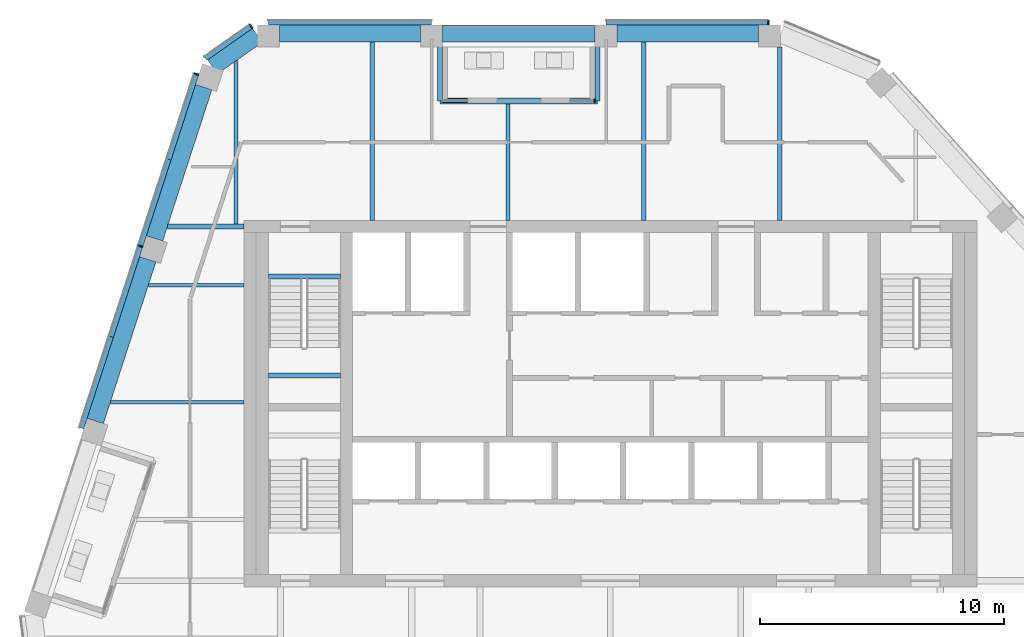
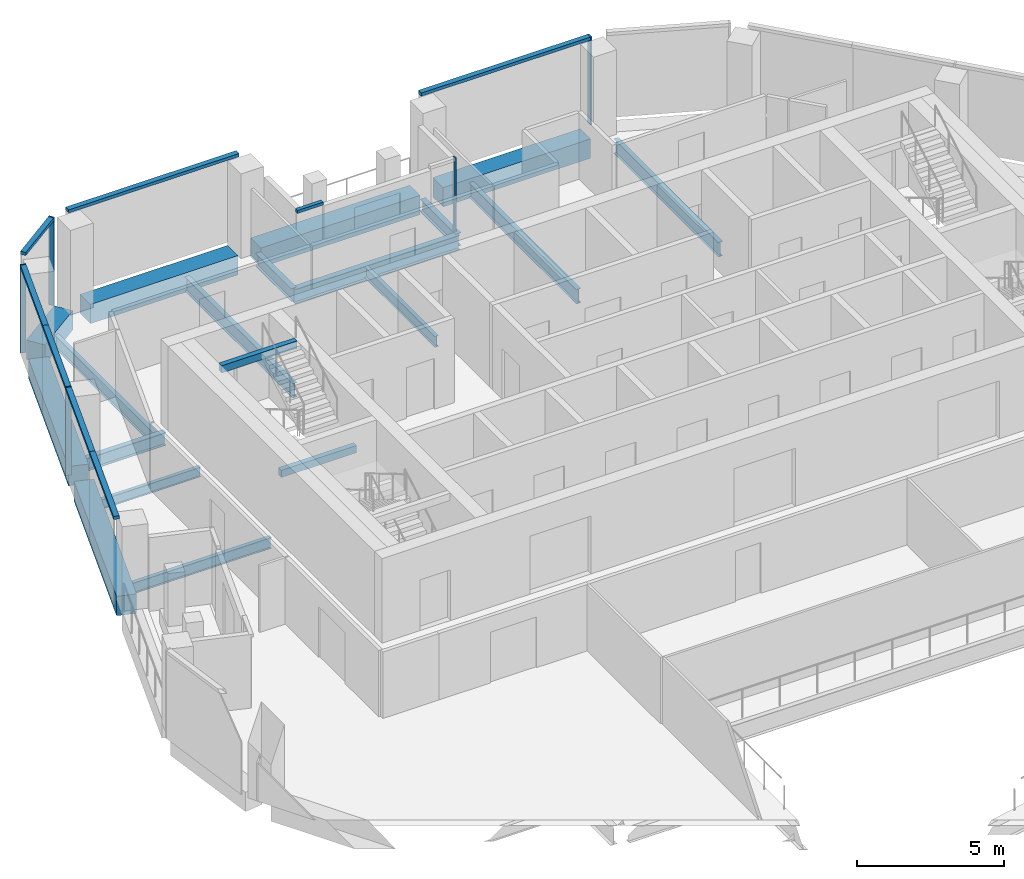
# One storey, part 7 of 20: 19 beams, 13 members, 4 elements without a shape of their own.
"""IFC4 building model written with IfcOpenShell, lengths in metres."""

import ifcopenshell
import ifcopenshell.guid

model = None  # the IFC model being written
_history = None  # IfcOwnerHistory: only IFC2X3 demands one
_inside = {}  # id of a spatial element -> (the spatial element, [elements in it])
_under = {}  # id of a project, library or spatial element -> (it, [spatial elements below it])
_declared = {}  # id of a project -> (the project, [libraries it declares])
_typed = {}  # id of a type object -> (the type object, [elements of that type])
_made_of = {}  # id of a material, layer set ... -> (it, [elements and type objects made of it])


def new_model(schema):
    """Start an empty IFC model of exactly this schema.

    Asked for "IFC4X3", IfcOpenShell would pick the latest addendum, in which some entities
    have other attributes; the version numbers below select the first issue.
    IFC2X3 requires an IfcOwnerHistory on every rooted entity: one is made here for all.
    """
    global model, _history
    if schema == "IFC4X3":
        model = ifcopenshell.file(schema_version=(4, 3, 0, 0))
    else:
        model = ifcopenshell.file(schema=schema)
    _inside.clear()
    _under.clear()
    _declared.clear()
    _typed.clear()
    _made_of.clear()
    _history = None
    if model.schema == "IFC2X3":
        org = make("IfcOrganization", Name="unknown")
        user = make(
            "IfcPersonAndOrganization",
            ThePerson=make("IfcPerson", FamilyName="unknown"),
            TheOrganization=org,
        )
        app = make(
            "IfcApplication",
            ApplicationDeveloper=org,
            Version="unknown",
            ApplicationFullName="unknown",
            ApplicationIdentifier="unknown",
        )
        _history = make(
            "IfcOwnerHistory",
            OwningUser=user,
            OwningApplication=app,
            ChangeAction="ADDED",
            CreationDate=0,
        )
    return model


def make(cls, **values):
    """One entity of the class cls with the attributes given. An attribute that is None is left unset."""
    return model.create_entity(
        cls, **{name: value for name, value in values.items() if value is not None}
    )


def rooted(cls, **values):
    """An entity with a GlobalId (a new one), such as an element, a storey or a relation."""
    return make(cls, GlobalId=ifcopenshell.guid.new(), OwnerHistory=_history, **values)


def si_unit(unit_type, name, prefix=None):
    """IfcSIUnit, for example si_unit("LENGTHUNIT", "METRE", prefix="MILLI")."""
    return make("IfcSIUnit", UnitType=unit_type, Prefix=prefix, Name=name)


def assignment(units):
    """IfcUnitAssignment: the units of a project."""
    return None if units is None else make("IfcUnitAssignment", Units=units)


def point(xyz):
    """IfcCartesianPoint."""
    return None if xyz is None else make("IfcCartesianPoint", Coordinates=xyz)


def direction(xyz):
    """IfcDirection."""
    return None if xyz is None else make("IfcDirection", DirectionRatios=xyz)


def frame(location, z_axis=None, x_axis=None):
    """IfcAxis2Placement3D, a coordinate frame: its origin and axes. An axis left out is left unset."""
    return make(
        "IfcAxis2Placement3D",
        Location=point(location),
        Axis=direction(z_axis),
        RefDirection=direction(x_axis),
    )


def frame_2d(location, x_axis=None):
    """IfcAxis2Placement2D, a coordinate frame in the plane: its origin and x axis."""
    return make(
        "IfcAxis2Placement2D", Location=point(location), RefDirection=direction(x_axis)
    )


def origin():
    """The frame at (0, 0, 0) with its axes left unset."""
    return frame((0.0, 0.0, 0.0))


def origin_2d():
    """The frame at (0, 0) in the plane with its x axis left unset."""
    return frame_2d((0.0, 0.0))


def place(relative_to, where):
    """IfcLocalPlacement: puts the frame where relative to a parent placement (None: the world)."""
    return make(
        "IfcLocalPlacement", PlacementRelTo=relative_to, RelativePlacement=where
    )


def context(
    kind, dimensions, precision=None, world=None, true_north=None, identifier=None
):
    """IfcGeometricRepresentationContext, for example the 3D "Model" context."""
    return make(
        "IfcGeometricRepresentationContext",
        ContextIdentifier=identifier,
        ContextType=kind,
        CoordinateSpaceDimension=dimensions,
        Precision=precision,
        WorldCoordinateSystem=world,
        TrueNorth=true_north,
    )


def subcontext(parent, identifier, kind, view, scale=None):
    """IfcGeometricRepresentationSubContext, for example "Body" below "Model"."""
    return make(
        "IfcGeometricRepresentationSubContext",
        ContextIdentifier=identifier,
        ContextType=kind,
        ParentContext=parent,
        TargetScale=scale,
        TargetView=view,
    )


def project(units=None, contexts=None):
    """IfcProject with its units and contexts."""
    return rooted(
        "IfcProject",
        Name="project",
        RepresentationContexts=contexts,
        UnitsInContext=assignment(units),
    )


def spatial(cls, under=None, at=None, **own):
    """A site, building, storey or space (cls), placed at a placement, below another one or the project."""
    s = rooted(cls, ObjectPlacement=at, **own)
    if under is not None:
        _under.setdefault(under.id(), (under, []))[1].append(s)
    return s


def profile(cls, at=None, kind="AREA", **sizes):
    """A parametric profile (cls). Its sizes go by their IFC names, for example OverallWidth=200.0."""
    return make(cls, ProfileType=kind, Position=at, **sizes)


def rectangle(**sizes):
    """IfcRectangleProfileDef."""
    return profile("IfcRectangleProfileDef", **sizes)


def i_section(**sizes):
    """IfcIShapeProfileDef."""
    return profile("IfcIShapeProfileDef", **sizes)


def extrude(swept, where, along, depth):
    """IfcExtrudedAreaSolid: the profile swept, set in the frame where, extruded along a direction by depth."""
    return make(
        "IfcExtrudedAreaSolid",
        SweptArea=swept,
        Position=where,
        ExtrudedDirection=direction(along),
        Depth=depth,
    )


def shape(context_of_items, identifier, shape_type, items):
    """IfcShapeRepresentation: the items that make up one representation, for example the "Body"."""
    return make(
        "IfcShapeRepresentation",
        ContextOfItems=context_of_items,
        RepresentationIdentifier=identifier,
        RepresentationType=shape_type,
        Items=items,
    )


def material(Name=None, Category=None):
    """IfcMaterial."""
    return make("IfcMaterial", Name=Name, Category=Category)


def layer(
    of_material, thickness, ventilated=None, Name=None, Category=None, Priority=None
):
    """IfcMaterialLayer: one layer of a wall or slab, of a material (None: an air gap)."""
    return make(
        "IfcMaterialLayer",
        Material=of_material,
        LayerThickness=thickness,
        IsVentilated=ventilated,
        Name=Name,
        Category=Category,
        Priority=Priority,
    )


def layer_set(layers, Name=None):
    """IfcMaterialLayerSet."""
    return make("IfcMaterialLayerSet", MaterialLayers=layers, LayerSetName=Name)


def material_profile(
    of_material, cross_section, Name=None, Category=None, Priority=None
):
    """IfcMaterialProfile: a cross section and its material."""
    return make(
        "IfcMaterialProfile",
        Name=Name,
        Material=of_material,
        Profile=cross_section,
        Priority=Priority,
        Category=Category,
    )


def profile_set(profiles, Name=None, composite=None):
    """IfcMaterialProfileSet."""
    return make(
        "IfcMaterialProfileSet",
        Name=Name,
        MaterialProfiles=profiles,
        CompositeProfile=composite,
    )


def made_of(thing, what):
    """Note that an element or type object is made of a material, layer set ...; save() writes the relation."""
    if what is not None:
        _made_of.setdefault(what.id(), (what, []))[1].append(thing)
    return thing


def type_object(cls, material=None, **own):
    """A type object (cls), such as IfcWallType, which elements share."""
    return made_of(rooted(cls, **own), material)


def element(
    cls,
    number,
    at=None,
    inside=None,
    cuts=None,
    type_object=None,
    material=None,
    context=None,
    identifier="Body",
    shape_type=None,
    held_by="IfcProductDefinitionShape",
    body=None,
    shapes=None,
    **own,
):
    """One element of the class cls, such as IfcWall. Its Tag is "e" and its number.

    at: its placement. inside: the storey or other place that contains it. cuts: it is an
    opening in that element (IfcRelVoidsElement). A single representation is given by context,
    identifier, shape_type and body (its items); several are given by shapes. held_by: the class
    of the entity that holds the representations. save() writes the other relations.
    """
    e = rooted(cls, Tag="e%d" % number, ObjectPlacement=at, **own)
    if body is not None:
        shapes = [shape(context, identifier, shape_type, body)]
    if shapes is not None:
        e.Representation = make(held_by, Representations=shapes)
    if inside is not None:
        _inside.setdefault(inside.id(), (inside, []))[1].append(e)
    if cuts is not None:
        rooted(
            "IfcRelVoidsElement", RelatingBuildingElement=cuts, RelatedOpeningElement=e
        )
    if type_object is not None:
        _typed.setdefault(type_object.id(), (type_object, []))[1].append(e)
    return made_of(e, material)


def aggregate(whole, parts):
    """IfcRelAggregates: a whole, such as a stair, and the parts it consists of."""
    return rooted("IfcRelAggregates", RelatingObject=whole, RelatedObjects=parts)


def save(model, path):
    """Write the relations noted so far, then the file.

    IfcRelAggregates (storeys below a building ...), IfcRelContainedInSpatialStructure (elements
    in a storey), IfcRelDefinesByType, IfcRelAssociatesMaterial and IfcRelDeclares: one each for
    every whole, place, type object, material and project.
    """
    for whole, parts in _under.values():
        aggregate(whole, parts)
    for where, things in _inside.values():
        rooted(
            "IfcRelContainedInSpatialStructure",
            RelatedElements=things,
            RelatingStructure=where,
        )
    for kind, things in _typed.values():
        rooted("IfcRelDefinesByType", RelatedObjects=things, RelatingType=kind)
    for what, things in _made_of.values():
        rooted("IfcRelAssociatesMaterial", RelatedObjects=things, RelatingMaterial=what)
    for by, libraries in _declared.values():
        rooted("IfcRelDeclares", RelatingContext=by, RelatedDefinitions=libraries)
    model.write(path)


model = new_model("IFC4")

# Units and contexts
model_context = context("Model", 3, precision=1e-05, world=origin(), true_north=direction((0.0, 1.0)))
body_context = subcontext(model_context, "Body", "Model", "MODEL_VIEW")
ifc_project = project(units=[si_unit("LENGTHUNIT", "METRE"), si_unit("AREAUNIT", "SQUARE_METRE"), si_unit("VOLUMEUNIT", "CUBIC_METRE"), si_unit("PLANEANGLEUNIT", "RADIAN"), si_unit("MASSUNIT", "GRAM", prefix="KILO")], contexts=[model_context])

# Site, building, storey
site_placement = place(None, origin())
site = spatial("IfcSite", under=ifc_project, at=site_placement, CompositionType="ELEMENT")
building_placement = place(site_placement, origin())
building = spatial("IfcBuilding", under=site, at=building_placement, Name="Isthmus Gate Tower", CompositionType="ELEMENT")
storey_placement = place(building_placement, frame((0.0, 0.0, 279.199951171875)))
storey = spatial("IfcBuildingStorey", under=building, at=storey_placement, Name="L71", CompositionType="ELEMENT", Elevation=279.199951171875)

# Curtain wall, member
ifc_material_1 = material(Name="Aluminium, pale champagne anodised", Category="aluminium")
ifc_layer_1 = layer(ifc_material_1, 0.199951171875)
ifc_layer_set_1 = layer_set([ifc_layer_1], Name="CW-1 UNITISED CURTAIN WALL 200 DEEP")
curtain_wall_type_1 = type_object("IfcCurtainWallType", Name="CW-1 UNITISED CURTAIN WALL 200 DEEP", PredefinedType="NOTDEFINED", material=ifc_layer_set_1)
curtain_wall_1_placement = place(storey_placement, origin())
curtain_wall_1 = element("IfcCurtainWall", 1, at=curtain_wall_1_placement, inside=storey, type_object=curtain_wall_type_1, Name="CW-1 N L71", PredefinedType="NOTDEFINED")
ifc_material_2 = material(Name="Aluminium, pale champagne anodised", Category="aluminium")
ifc_material_profile_1 = material_profile(ifc_material_2, rectangle(XDim=0.06005859375, YDim=0.199951171875, at=origin_2d()), Name="60x200")
ifc_profile_set_1 = profile_set([ifc_material_profile_1], Name="Aluminium, pale champagne anodised")
member_type_1 = type_object("IfcMemberType", Name="CW-1 MULLION 60 X 200", PredefinedType="MULLION", material=ifc_profile_set_1)
member_1_placement = place(storey_placement, frame((6.4794921875, 23.10009765625, 0.0), z_axis=(0.0, 0.0, 1.0), x_axis=(-1.0, 0.0, 0.0)))
member_1 = element("IfcMember", 2, at=member_1_placement, type_object=member_type_1, Name="CW-1 mullion", PredefinedType="MULLION", context=body_context, shape_type="SweptSolid", body=[
    extrude(rectangle(XDim=0.06005859375, YDim=0.199951171875, at=origin_2d()), origin(), (0.0, 0.0, 1.0), 3.650146484375),
])

curtain_wall_2_placement = place(storey_placement, origin())
curtain_wall_2 = element("IfcCurtainWall", 3, at=curtain_wall_2_placement, inside=storey, type_object=curtain_wall_type_1, Name="CW-1 N-NW L71", PredefinedType="NOTDEFINED")
member_2_placement = place(storey_placement, frame((-14.69873046875, 22.943115234375, 0.0), z_axis=(0.0, 0.0, 1.0), x_axis=(-0.81785959165, -0.57541783805, 0.0)))
member_2 = element("IfcMember", 4, at=member_2_placement, type_object=member_type_1, Name="CW-1 mullion", PredefinedType="MULLION", context=body_context, shape_type="SweptSolid", body=[
    extrude(rectangle(XDim=0.06005859375, YDim=0.199951171875, at=origin_2d()), origin(), (0.0, 0.0, 1.0), 3.650146484375),
])

# Curtain wall, members
curtain_wall_3_placement = place(storey_placement, origin())
curtain_wall_3 = element("IfcCurtainWall", 5, at=curtain_wall_3_placement, inside=storey, type_object=curtain_wall_type_1, Name="CW-1 NW L71", PredefinedType="NOTDEFINED")
member_3_placement = place(storey_placement, frame((-16.9404296875, 20.9892578125, 0.0), z_axis=(0.0, 0.0, 1.0), x_axis=(-0.309016994375, -0.951056516295, 0.0)))
member_3 = element("IfcMember", 6, at=member_3_placement, type_object=member_type_1, Name="CW-1 mullion", PredefinedType="MULLION", context=body_context, shape_type="SweptSolid", body=[
    extrude(rectangle(XDim=0.06005859375, YDim=0.199951171875, at=origin_2d()), origin(), (0.0, 0.0, 1.0), 3.650146484375),
])
member_4_placement = place(storey_placement, frame((-19.229248046875, 13.945068359375, 0.0), z_axis=(0.0, 0.0, 1.0), x_axis=(-0.309016994375, -0.951056516295, 0.0)))
member_4 = element("IfcMember", 7, at=member_4_placement, type_object=member_type_1, Name="CW-1 mullion", PredefinedType="MULLION", context=body_context, shape_type="SweptSolid", body=[
    extrude(rectangle(XDim=0.06005859375, YDim=0.199951171875, at=origin_2d()), origin(), (0.0, 0.0, 1.0), 3.650146484375),
])

# Member
ifc_material_3 = material(Name="Aluminium, pale champagne anodised", Category="aluminium")
ifc_material_profile_2 = material_profile(ifc_material_3, rectangle(XDim=0.199951171875, YDim=0.1298828125, at=origin_2d()), Name="200x130")
ifc_profile_set_2 = profile_set([ifc_material_profile_2], Name="Aluminium, pale champagne anodised")
member_type_2 = type_object("IfcMemberType", Name="CW-1 TRANSOM 200 X 130", PredefinedType="USERDEFINED", material=ifc_profile_set_2)
member_5_placement = place(storey_placement, frame((6.449462890625, 23.10009765625, 3.5849609375), z_axis=(-1.0, 0.0, 0.0), x_axis=(0.0, -1.0, 0.0)))
member_5 = element("IfcMember", 8, at=member_5_placement, type_object=member_type_2, Name="CW-1 transom", ObjectType="TRANSOM", PredefinedType="USERDEFINED", context=body_context, shape_type="SweptSolid", body=[
    extrude(rectangle(XDim=0.199951171875, YDim=0.1298828125, at=origin_2d()), origin(), (0.0, 0.0, 1.0), 6.62451171875),
])

member_6_placement = place(storey_placement, frame((-7.3095703125, 23.10009765625, 3.5849609375), z_axis=(-1.0, 0.0, 0.0), x_axis=(0.0, -1.0, 0.0)))
member_6 = element("IfcMember", 9, at=member_6_placement, type_object=member_type_2, Name="CW-1 transom", ObjectType="TRANSOM", PredefinedType="USERDEFINED", context=body_context, shape_type="SweptSolid", body=[
    extrude(rectangle(XDim=0.199951171875, YDim=0.1298828125, at=origin_2d()), origin(), (0.0, 0.0, 1.0), 6.6845703125),
])

aggregate(curtain_wall_1, [member_1, member_5, member_6])

member_7_placement = place(storey_placement, frame((-14.723388671875, 22.92578125, 3.5849609375), z_axis=(-0.817868595604, -0.575405040233, 0.0), x_axis=(0.575405040233, -0.817868595604, 0.0)))
member_7 = element("IfcMember", 10, at=member_7_placement, type_object=member_type_2, Name="CW-1 transom", ObjectType="TRANSOM", PredefinedType="USERDEFINED", context=body_context, shape_type="SweptSolid", body=[
    extrude(rectangle(XDim=0.199951171875, YDim=0.1298828125, at=origin_2d()), origin(), (0.0, 0.0, 1.0), 2.258544921875),
])

aggregate(curtain_wall_2, [member_2, member_7])

member_8_placement = place(storey_placement, frame((-16.94970703125, 20.960693359375, 3.5849609375), z_axis=(-0.30904213216, -0.951048348166, 0.0), x_axis=(0.951048348166, -0.30904213216, 0.0)))
member_8 = element("IfcMember", 11, at=member_8_placement, type_object=member_type_2, Name="CW-1 transom", ObjectType="TRANSOM", PredefinedType="USERDEFINED", context=body_context, shape_type="SweptSolid", body=[
    extrude(rectangle(XDim=0.199951171875, YDim=0.1298828125, at=origin_2d()), origin(), (0.0, 0.0, 1.0), 3.6435546875),
])

member_9_placement = place(storey_placement, frame((-18.07568359375, 17.49560546875, 3.5849609375), z_axis=(-0.308999609488, -0.951062164812, 0.0), x_axis=(0.951062164812, -0.308999609488, 0.0)))
member_9 = element("IfcMember", 12, at=member_9_placement, type_object=member_type_2, Name="CW-1 transom", ObjectType="TRANSOM", PredefinedType="USERDEFINED", context=body_context, shape_type="SweptSolid", body=[
    extrude(rectangle(XDim=0.199951171875, YDim=0.1298828125, at=origin_2d()), origin(), (0.0, 0.0, 1.0), 3.703125),
])

member_10_placement = place(storey_placement, frame((-19.238525390625, 13.91650390625, 3.5849609375), z_axis=(-0.309061811928, -0.951041953022, 0.0), x_axis=(0.951041953022, -0.309061811928, 0.0)))
member_10 = element("IfcMember", 13, at=member_10_placement, type_object=member_type_2, Name="CW-1 transom", ObjectType="TRANSOM", PredefinedType="USERDEFINED", context=body_context, shape_type="SweptSolid", body=[
    extrude(rectangle(XDim=0.199951171875, YDim=0.1298828125, at=origin_2d()), origin(), (0.0, 0.0, 1.0), 3.868408203125),
])

member_11_placement = place(storey_placement, frame((-20.43408203125, 10.237548828125, 3.5849609375), z_axis=(-0.308984896154, -0.951066945041, 0.0), x_axis=(0.951066945041, -0.308984896154, 0.0)))
member_11 = element("IfcMember", 14, at=member_11_placement, type_object=member_type_2, Name="CW-1 transom", ObjectType="TRANSOM", PredefinedType="USERDEFINED", context=body_context, shape_type="SweptSolid", body=[
    extrude(rectangle(XDim=0.199951171875, YDim=0.1298828125, at=origin_2d()), origin(), (0.0, 0.0, 1.0), 3.928466796875),
])

aggregate(curtain_wall_3, [member_3, member_8, member_9, member_4, member_10, member_11])

# Curtain wall, members
ifc_material_4 = material(Name="Aluminium, pale champagne anodised", Category="aluminium")
ifc_layer_2 = layer(ifc_material_4, 0.14990234375)
ifc_layer_set_2 = layer_set([ifc_layer_2], Name="CW-6 LOGGIA BACK WALL GLAZING 150 DEEP")
curtain_wall_type_2 = type_object("IfcCurtainWallType", Name="CW-6 LOGGIA BACK WALL GLAZING 150 DEEP", PredefinedType="NOTDEFINED", material=ifc_layer_set_2)
curtain_wall_4_placement = place(storey_placement, origin())
curtain_wall_4 = element("IfcCurtainWall", 15, at=curtain_wall_4_placement, inside=storey, type_object=curtain_wall_type_2, Name="CW-6 N L71", PredefinedType="NOTDEFINED")
ifc_material_5 = material(Name="Aluminium, pale champagne anodised", Category="aluminium")
ifc_material_profile_3 = material_profile(ifc_material_5, rectangle(XDim=0.06005859375, YDim=0.14990234375, at=origin_2d()), Name="60x150")
ifc_profile_set_3 = profile_set([ifc_material_profile_3], Name="Aluminium, pale champagne anodised")
member_type_3 = type_object("IfcMemberType", Name="CW-6 MULLION 60 X 150", PredefinedType="MULLION", material=ifc_profile_set_3)
member_12_placement = place(storey_placement, frame((-0.655029296875, 19.89990234375, 0.0), z_axis=(0.0, 0.0, 1.0), x_axis=(-1.0, 0.0, 0.0)))
member_12 = element("IfcMember", 16, at=member_12_placement, type_object=member_type_3, Name="CW-6 mullion", PredefinedType="MULLION", context=body_context, shape_type="SweptSolid", body=[
    extrude(rectangle(XDim=0.06005859375, YDim=0.14990234375, at=origin_2d()), origin(), (0.0, 0.0, 1.0), 3.050048828125),
])
ifc_material_6 = material(Name="Aluminium, pale champagne anodised", Category="aluminium")
ifc_material_profile_4 = material_profile(ifc_material_6, rectangle(XDim=0.14990234375, YDim=0.1201171875, at=origin_2d()), Name="150x120")
ifc_profile_set_4 = profile_set([ifc_material_profile_4], Name="Aluminium, pale champagne anodised")
member_type_4 = type_object("IfcMemberType", Name="CW-6 TRANSOM 150 X 120", PredefinedType="USERDEFINED", material=ifc_profile_set_4)
member_13_placement = place(storey_placement, frame((-5.84228515625, 19.89990234375, 2.989990234375), z_axis=(-1.0, 0.0, 0.0), x_axis=(0.0, -1.0, 0.0)))
member_13 = element("IfcMember", 17, at=member_13_placement, type_object=member_type_4, Name="CW-6 transom", ObjectType="TRANSOM", PredefinedType="USERDEFINED", context=body_context, shape_type="SweptSolid", body=[
    extrude(rectangle(XDim=0.14990234375, YDim=0.1201171875, at=origin_2d()), origin(), (0.0, 0.0, 1.0), 1.017333984375),
])
aggregate(curtain_wall_4, [member_12, member_13])

# Beams
ifc_material_7 = material(Name="Concrete f'c 50 MPa", Category="concrete")
ifc_material_profile_5 = material_profile(ifc_material_7, rectangle(XDim=0.699951171875, YDim=0.800048828125, at=origin_2d()), Name="RC 700X800")
ifc_profile_set_5 = profile_set([ifc_material_profile_5], Name="Concrete f'c 50 MPa")
beam_type_1 = type_object("IfcBeamType", Name="RC SPANDREL 700 X 800", PredefinedType="SPANDREL", material=ifc_profile_set_5)
beam_1_placement = place(storey_placement, frame((-21.080810546875, 6.790283203125, -0.39990234375), z_axis=(0.309006716915, 0.951059855583, 0.0), x_axis=(-0.951059855583, 0.309006716915, 0.0)))
element("IfcBeam", 18, at=beam_1_placement, inside=storey, type_object=beam_type_1, Name="str-spandrel-L71-18", PredefinedType="SPANDREL", context=body_context, shape_type="SweptSolid", body=[
    extrude(rectangle(XDim=0.699951171875, YDim=0.800048828125, at=origin_2d()), origin(), (0.0, 0.0, 1.0), 6.956787109375),
])
beam_2_placement = place(storey_placement, frame((-18.653076171875, 14.262451171875, -0.39990234375), z_axis=(0.30901480678, 0.951057227085, 0.0), x_axis=(-0.951057227085, 0.30901480678, 0.0)))
element("IfcBeam", 19, at=beam_2_placement, inside=storey, type_object=beam_type_1, Name="str-spandrel-L71-19", PredefinedType="SPANDREL", context=body_context, shape_type="SweptSolid", body=[
    extrude(rectangle(XDim=0.699951171875, YDim=0.800048828125, at=origin_2d()), origin(), (0.0, 0.0, 1.0), 6.5068359375),
])
beam_3_placement = place(storey_placement, frame((-16.281005859375, 21.27978515625, -0.39990234375), z_axis=(0.817891678431, 0.57537222939, 0.0), x_axis=(-0.57537222939, 0.817891678431, 0.0)))
element("IfcBeam", 20, at=beam_3_placement, inside=storey, type_object=beam_type_1, Name="str-spandrel-L71-20", PredefinedType="SPANDREL", context=body_context, shape_type="SweptSolid", body=[
    extrude(rectangle(XDim=0.699951171875, YDim=0.800048828125, at=origin_2d()), origin(), (0.0, 0.0, 1.0), 2.245849609375),
])
beam_4_placement = place(storey_placement, frame((-13.544189453125, 22.64990234375, -0.39990234375), z_axis=(1.0, 0.0, 0.0), x_axis=(0.0, 1.0, 0.0)))
element("IfcBeam", 21, at=beam_4_placement, inside=storey, type_object=beam_type_1, Name="str-spandrel-L71-21", PredefinedType="SPANDREL", context=body_context, shape_type="SweptSolid", body=[
    extrude(rectangle(XDim=0.699951171875, YDim=0.800048828125, at=origin_2d()), origin(), (0.0, 0.0, 1.0), 5.78466796875),
])
beam_5_placement = place(storey_placement, frame((-6.859619140625, 22.64990234375, -0.39990234375), z_axis=(1.0, 0.0, 0.0), x_axis=(0.0, 1.0, 0.0)))
element("IfcBeam", 22, at=beam_5_placement, inside=storey, type_object=beam_type_1, Name="str-spandrel-L71-22", PredefinedType="SPANDREL", context=body_context, shape_type="SweptSolid", body=[
    extrude(rectangle(XDim=0.699951171875, YDim=0.800048828125, at=origin_2d()), origin(), (0.0, 0.0, 1.0), 6.234619140625),
])
beam_6_placement = place(storey_placement, frame((0.27490234375, 22.64990234375, -0.39990234375), z_axis=(1.0, 0.0, 0.0), x_axis=(0.0, 1.0, 0.0)))
element("IfcBeam", 23, at=beam_6_placement, inside=storey, type_object=beam_type_1, Name="str-spandrel-L71-23", PredefinedType="SPANDREL", context=body_context, shape_type="SweptSolid", body=[
    extrude(rectangle(XDim=0.699951171875, YDim=0.800048828125, at=origin_2d()), origin(), (0.0, 0.0, 1.0), 5.784423828125),
])
ifc_material_8 = material(Name="Concrete f'c 40 MPa", Category="concrete")
ifc_material_profile_6 = material_profile(ifc_material_8, rectangle(XDim=0.199951171875, YDim=0.300048828125, at=origin_2d()), Name="STAIR LANDING BEAM RC 200 X 300")
ifc_profile_set_6 = profile_set([ifc_material_profile_6], Name="Concrete f'c 40 MPa")
beam_type_2 = type_object("IfcBeamType", Name="STAIR LANDING BEAM RC 200 X 300", PredefinedType="BEAM", material=ifc_profile_set_6)
for number, where, z_axis, x_axis, name in (
    (24, (-14.0, 8.64990234375, 1.47509765625), (1.0, 0.0, 0.0), (0.0, 1.0, 0.0), "L71 ST1 landing beam 1"),
    (25, (-14.0, 12.7001953125, 3.35009765625), (1.0, 0.0, 0.0), (0.0, 1.0, 0.0), "L71 ST1 floor-edge seat beam"),
):
    element("IfcBeam", number, at=place(storey_placement, frame(where, z_axis=z_axis, x_axis=x_axis)), inside=storey, type_object=beam_type_2, Name=name, PredefinedType="BEAM", context=body_context, shape_type="SweptSolid", body=[
        extrude(rectangle(XDim=0.199951171875, YDim=0.300048828125, at=origin_2d()), origin(), (0.0, 0.0, 1.0), 2.949951171875),
    ])
ifc_material_9 = material(Name="Structural steel ASTM A992 Gr 50", Category="steel")
ifc_material_profile_7 = material_profile(ifc_material_9, i_section(OverallWidth=0.1396484375, OverallDepth=0.4033203125, WebThickness=0.00634765625, FlangeThickness=0.010986328125, at=origin_2d()), Name="W16X31")
ifc_profile_set_7 = profile_set([ifc_material_profile_7], Name="Structural steel ASTM A992 Gr 50")
beam_type_3 = type_object("IfcBeamType", Name="STEEL FLOOR BEAM W16X31", PredefinedType="JOIST", material=ifc_profile_set_7)
beam_7_placement = place(storey_placement, frame((-18.906005859375, 12.350830078125, -0.3515625), z_axis=(1.0, 0.0, 0.0), x_axis=(0.0, 1.0, 0.0)))
element("IfcBeam", 26, at=beam_7_placement, inside=storey, type_object=beam_type_3, Name="str-beam-L71-02-02", PredefinedType="JOIST", context=body_context, shape_type="SweptSolid", body=[
    extrude(i_section(OverallWidth=0.1396484375, OverallDepth=0.4033203125, WebThickness=0.00634765625, FlangeThickness=0.010986328125, at=origin_2d()), origin(), (0.0, 0.0, 1.0), 3.906005859375),
])
ifc_material_10 = material(Name="Structural steel ASTM A992 Gr 50", Category="steel")
ifc_material_profile_8 = material_profile(ifc_material_10, i_section(OverallWidth=0.15234375, OverallDepth=0.45068359375, WebThickness=0.0078125, FlangeThickness=0.010986328125, at=origin_2d()), Name="W18X35")
ifc_profile_set_8 = profile_set([ifc_material_profile_8], Name="Structural steel ASTM A992 Gr 50")
beam_type_4 = type_object("IfcBeamType", Name="STEEL FLOOR BEAM W18X35", PredefinedType="JOIST", material=ifc_profile_set_8)
beam_8_placement = place(storey_placement, frame((-20.46533203125, 7.552490234375, -0.375244140625), z_axis=(1.0, 0.0, 0.0), x_axis=(0.0, 1.0, 0.0)))
element("IfcBeam", 27, at=beam_8_placement, inside=storey, type_object=beam_type_4, Name="str-beam-L71-02-01", PredefinedType="JOIST", context=body_context, shape_type="SweptSolid", body=[
    extrude(i_section(OverallWidth=0.15234375, OverallDepth=0.45068359375, WebThickness=0.0078125, FlangeThickness=0.010986328125, at=origin_2d()), origin(), (0.0, 0.0, 1.0), 5.46533203125),
])
beam_9_placement = place(storey_placement, frame((-4.188720703125, 15.0, -0.375244140625), z_axis=(0.0, 1.0, 0.0), x_axis=(-1.0, 0.0, 0.0)))
element("IfcBeam", 28, at=beam_9_placement, inside=storey, type_object=beam_type_4, Name="str-beam-L71-11-02", PredefinedType="JOIST", context=body_context, shape_type="SweptSolid", body=[
    extrude(i_section(OverallWidth=0.15234375, OverallDepth=0.45068359375, WebThickness=0.0078125, FlangeThickness=0.010986328125, at=origin_2d()), origin(), (0.0, 0.0, 1.0), 4.771484375),
])
ifc_material_11 = material(Name="Structural steel ASTM A992 Gr 50", Category="steel")
ifc_material_profile_9 = material_profile(ifc_material_11, i_section(OverallWidth=0.1650390625, OverallDepth=0.52392578125, WebThickness=0.009521484375, FlangeThickness=0.010986328125, at=origin_2d()), Name="W21X44")
ifc_profile_set_9 = profile_set([ifc_material_profile_9], Name="Structural steel ASTM A992 Gr 50")
beam_type_5 = type_object("IfcBeamType", Name="STEEL FLOOR BEAM W21X44", PredefinedType="JOIST", material=ifc_profile_set_9)
beam_10_placement = place(storey_placement, frame((-15.311767578125, 14.854736328125, -0.411865234375), z_axis=(0.0, 1.0, 0.0), x_axis=(-1.0, 0.0, 0.0)))
element("IfcBeam", 29, at=beam_10_placement, inside=storey, type_object=beam_type_5, Name="str-beam-L71-11-00", PredefinedType="JOIST", context=body_context, shape_type="SweptSolid", body=[
    extrude(i_section(OverallWidth=0.1650390625, OverallDepth=0.52392578125, WebThickness=0.009521484375, FlangeThickness=0.010986328125, at=origin_2d()), origin(), (0.0, 0.0, 1.0), 6.678955078125),
])
ifc_material_12 = material(Name="Structural steel ASTM A992 Gr 50", Category="steel")
ifc_material_profile_10 = material_profile(ifc_material_12, i_section(OverallWidth=0.177734375, OverallDepth=0.60009765625, WebThickness=0.009521484375, FlangeThickness=0.0126953125, at=origin_2d()), Name="W24X55")
ifc_profile_set_10 = profile_set([ifc_material_profile_10], Name="Structural steel ASTM A992 Gr 50")
beam_type_6 = type_object("IfcBeamType", Name="STEEL FLOOR BEAM W24X55", PredefinedType="JOIST", material=ifc_profile_set_10)
for number, where, z_axis, x_axis, name in (
    (30, (-9.750244140625, 15.0, -0.449951171875), (0.0, 1.0, 0.0), (-1.0, 0.0, 0.0), "str-beam-L71-11-01"),
    (31, (1.372802734375, 15.0, -0.449951171875), (0.0, 1.0, 0.0), (-1.0, 0.0, 0.0), "str-beam-L71-11-03"),
):
    element("IfcBeam", number, at=place(storey_placement, frame(where, z_axis=z_axis, x_axis=x_axis)), inside=storey, type_object=beam_type_6, Name=name, PredefinedType="JOIST", context=body_context, shape_type="SweptSolid", body=[
        extrude(i_section(OverallWidth=0.177734375, OverallDepth=0.60009765625, WebThickness=0.009521484375, FlangeThickness=0.0126953125, at=origin_2d()), origin(), (0.0, 0.0, 1.0), 7.300048828125),
    ])
beam_11_placement = place(storey_placement, frame((6.93408203125, 15.0, -0.449951171875), z_axis=(0.0, 1.0, 0.0), x_axis=(-1.0, 0.0, 0.0)))
element("IfcBeam", 32, at=beam_11_placement, inside=storey, type_object=beam_type_6, Name="str-beam-L71-11-04", PredefinedType="JOIST", context=body_context, shape_type="SweptSolid", body=[
    extrude(i_section(OverallWidth=0.177734375, OverallDepth=0.60009765625, WebThickness=0.009521484375, FlangeThickness=0.0126953125, at=origin_2d()), origin(), (0.0, 0.0, 1.0), 7.10009765625),
])
ifc_material_13 = material(Name="Structural steel ASTM A992 Gr 50", Category="steel")
ifc_material_profile_11 = material_profile(ifc_material_13, i_section(OverallWidth=0.20947265625, OverallDepth=0.533447265625, WebThickness=0.009521484375, FlangeThickness=0.015869140625, at=origin_2d()), Name="W21X62")
ifc_profile_set_11 = profile_set([ifc_material_profile_11], Name="Structural steel ASTM A992 Gr 50")
beam_type_7 = type_object("IfcBeamType", Name="STEEL GIRDER W21X62", PredefinedType="BEAM", material=ifc_profile_set_11)
beam_12_placement = place(storey_placement, frame((-15.0, 14.75, -0.416748046875), z_axis=(-1.0, 0.0, 0.0), x_axis=(0.0, -1.0, 0.0)))
element("IfcBeam", 33, at=beam_12_placement, inside=storey, type_object=beam_type_7, Name="str-girder-L71-11", PredefinedType="BEAM", context=body_context, shape_type="SweptSolid", body=[
    extrude(i_section(OverallWidth=0.20947265625, OverallDepth=0.533447265625, WebThickness=0.009521484375, FlangeThickness=0.015869140625, at=origin_2d()), origin(), (0.0, 0.0, 1.0), 3.12646484375),
])
ifc_material_14 = material(Name="Structural steel ASTM A992 Gr 50", Category="steel")
ifc_material_profile_12 = material_profile(ifc_material_14, i_section(OverallWidth=0.20947265625, OverallDepth=0.533447265625, WebThickness=0.009521484375, FlangeThickness=0.015869140625, at=origin_2d()), Name="W21X62")
ifc_profile_set_12 = profile_set([ifc_material_profile_12], Name="Structural steel ASTM A992 Gr 50")
beam_type_8 = type_object("IfcBeamType", Name="STEEL TRIMMER W21X62", PredefinedType="BEAM", material=ifc_profile_set_12)
for number, where, z_axis, x_axis, name in (
    (34, (-0.520263671875, 22.300048828125, -0.416748046875), (0.0, -1.0, 0.0), (1.0, 0.0, 0.0), "str-loggiatrim-L71-01-A"),
    (35, (-6.96435546875, 22.300048828125, -0.416748046875), (0.0, -1.0, 0.0), (1.0, 0.0, 0.0), "str-loggiatrim-L71-01-C"),
):
    element("IfcBeam", number, at=place(storey_placement, frame(where, z_axis=z_axis, x_axis=x_axis)), inside=storey, type_object=beam_type_8, Name=name, PredefinedType="BEAM", context=body_context, shape_type="SweptSolid", body=[
        extrude(i_section(OverallWidth=0.20947265625, OverallDepth=0.533447265625, WebThickness=0.009521484375, FlangeThickness=0.015869140625, at=origin_2d()), origin(), (0.0, 0.0, 1.0), 2.414306640625),
    ])
ifc_material_15 = material(Name="Structural steel ASTM A992 Gr 50", Category="steel")
ifc_material_profile_13 = material_profile(ifc_material_15, i_section(OverallWidth=0.228515625, OverallDepth=0.603271484375, WebThickness=0.010986328125, FlangeThickness=0.014404296875, at=origin_2d()), Name="W24X68")
ifc_profile_set_13 = profile_set([ifc_material_profile_13], Name="Structural steel ASTM A992 Gr 50")
beam_type_9 = type_object("IfcBeamType", Name="STEEL TRIMMER W24X68", PredefinedType="BEAM", material=ifc_profile_set_13)
beam_13_placement = place(storey_placement, frame((-0.520263671875, 19.8857421875, -0.45166015625), z_axis=(-1.0, 0.0, 0.0), x_axis=(0.0, -1.0, 0.0)))
element("IfcBeam", 36, at=beam_13_placement, inside=storey, type_object=beam_type_9, Name="str-loggiatrim-L71-01-B", PredefinedType="BEAM", context=body_context, shape_type="SweptSolid", body=[
    extrude(i_section(OverallWidth=0.228515625, OverallDepth=0.603271484375, WebThickness=0.010986328125, FlangeThickness=0.014404296875, at=origin_2d()), origin(), (0.0, 0.0, 1.0), 6.444091796875),
])

save(model, "model.ifc")
